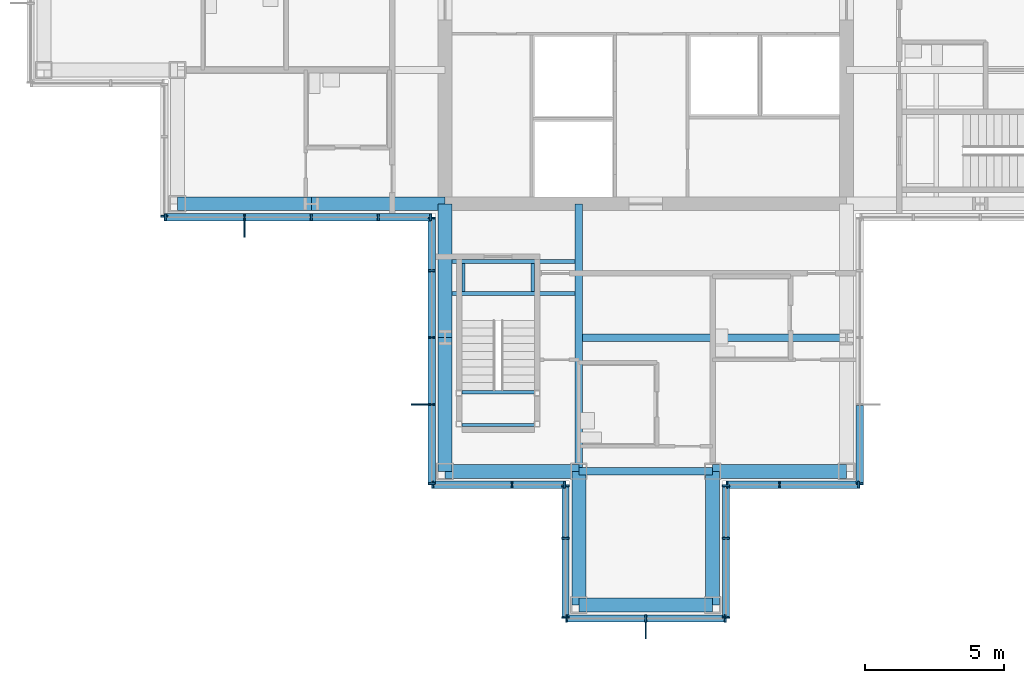
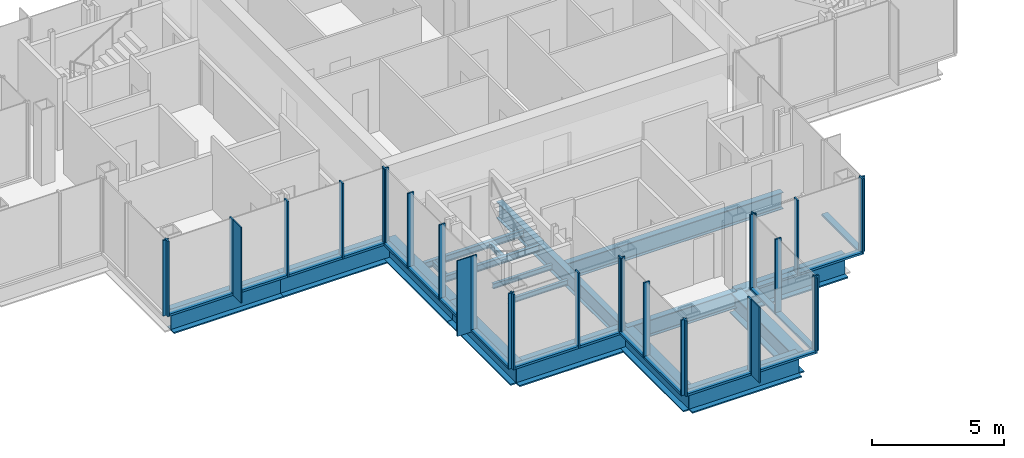
# One storey, part 5 of 15: 49 members, 18 beams, 9 elements without a shape of their own.
"""IFC4 building model written with IfcOpenShell, lengths in metres."""

from ifc_helpers import new_model, si_unit, direction, frame, origin, origin_2d, place, context, subcontext, project, spatial, rectangle, i_section, extrude, material, material_profile, profile_set, type_object, element, aggregate, save


model = new_model("IFC4")

# Units and contexts
model_context = context("Model", 3, precision=1e-05, world=origin(), true_north=direction((0.0, 1.0)))
body_context = subcontext(model_context, "Body", "Model", "MODEL_VIEW")
ifc_project = project(units=[si_unit("LENGTHUNIT", "METRE"), si_unit("AREAUNIT", "SQUARE_METRE"), si_unit("VOLUMEUNIT", "CUBIC_METRE"), si_unit("PLANEANGLEUNIT", "RADIAN"), si_unit("MASSUNIT", "GRAM", prefix="KILO")], contexts=[model_context])

# Site, building, storey
site_placement = place(None, origin())
site = spatial("IfcSite", under=ifc_project, at=site_placement, CompositionType="ELEMENT")
building_placement = place(site_placement, origin())
building = spatial("IfcBuilding", under=site, at=building_placement, Name="Kvirike Care Tower", CompositionType="ELEMENT")
storey_placement = place(building_placement, frame((0.0, 0.0, 229.5)))
storey = spatial("IfcBuildingStorey", under=building, at=storey_placement, Name="L63", CompositionType="ELEMENT", Elevation=229.5)

# Curtain wall, member
ifc_material_1 = material(Name="Anodised aluminium stick system", Category="aluminium")
curtain_wall_type = type_object("IfcCurtainWallType", Name="CW-D STICK CURTAIN WALL", PredefinedType="NOTDEFINED", material=ifc_material_1)
curtain_wall_1_placement = place(storey_placement, origin())
curtain_wall_1 = element("IfcCurtainWall", 1, at=curtain_wall_1_placement, inside=storey, type_object=curtain_wall_type, Name="Curtain wall L63 face 13", PredefinedType="NOTDEFINED")
ifc_material_2 = material(Name="Bronze anodised aluminium fin", Category="aluminium")
ifc_material_profile_1 = material_profile(ifc_material_2, rectangle(XDim=0.050048828125, YDim=0.60009765625, at=origin_2d()), Name="BRONZE FIN 600")
ifc_profile_set_1 = profile_set([ifc_material_profile_1], Name="Bronze anodised aluminium fin")
member_type_1 = type_object("IfcMemberType", Name="BRONZE FIN 600", PredefinedType="USERDEFINED", material=ifc_profile_set_1)
member_1_placement = place(storey_placement, frame((7.199951171875, 27.889892578125, 0.0), z_axis=(0.0, 0.0, 1.0), x_axis=(1.0, 0.0, 0.0)))
member_1 = element("IfcMember", 2, at=member_1_placement, type_object=member_type_1, Name="Bronze fin L63 face 13.2", ObjectType="FIN", PredefinedType="USERDEFINED", context=body_context, shape_type="SweptSolid", body=[
    extrude(rectangle(XDim=0.050048828125, YDim=0.60009765625, at=origin_2d()), origin(), (0.0, 0.0, 1.0), 3.5),
])

curtain_wall_2_placement = place(storey_placement, origin())
curtain_wall_2 = element("IfcCurtainWall", 3, at=curtain_wall_2_placement, inside=storey, type_object=curtain_wall_type, Name="Curtain wall L63 face 14", PredefinedType="NOTDEFINED")
member_2_placement = place(storey_placement, frame((13.489990234375, 21.60009765625, 0.0), z_axis=(0.0, 0.0, 1.0), x_axis=(0.0, -1.0, 0.0)))
member_2 = element("IfcMember", 4, at=member_2_placement, type_object=member_type_1, Name="Bronze fin L63 face 14.4", ObjectType="FIN", PredefinedType="USERDEFINED", context=body_context, shape_type="SweptSolid", body=[
    extrude(rectangle(XDim=0.050048828125, YDim=0.60009765625, at=origin_2d()), origin(), (0.0, 0.0, 1.0), 3.5),
])

curtain_wall_3_placement = place(storey_placement, origin())
curtain_wall_3 = element("IfcCurtainWall", 5, at=curtain_wall_3_placement, inside=storey, type_object=curtain_wall_type, Name="Curtain wall L63 face 17", PredefinedType="NOTDEFINED")
member_3_placement = place(storey_placement, frame((21.60009765625, 13.489990234375, 0.0), z_axis=(0.0, 0.0, 1.0), x_axis=(1.0, 0.0, 0.0)))
member_3 = element("IfcMember", 6, at=member_3_placement, type_object=member_type_1, Name="Bronze fin L63 face 17.2", ObjectType="FIN", PredefinedType="USERDEFINED", context=body_context, shape_type="SweptSolid", body=[
    extrude(rectangle(XDim=0.050048828125, YDim=0.60009765625, at=origin_2d()), origin(), (0.0, 0.0, 1.0), 3.5),
])

curtain_wall_4_placement = place(storey_placement, origin())
curtain_wall_4 = element("IfcCurtainWall", 7, at=curtain_wall_4_placement, inside=storey, type_object=curtain_wall_type, Name="Curtain wall L63 face 12", PredefinedType="NOTDEFINED")
ifc_material_3 = material(Name="Bronze anodised aluminium mullion", Category="aluminium")
ifc_material_profile_2 = material_profile(ifc_material_3, rectangle(XDim=0.06494140625, YDim=0.260009765625, at=origin_2d()), Name="CW-D MULLION 65x260")
ifc_profile_set_2 = profile_set([ifc_material_profile_2], Name="Bronze anodised aluminium mullion")
member_type_2 = type_object("IfcMemberType", Name="CW-D MULLION 65x260", PredefinedType="MULLION", material=ifc_profile_set_2)
member_4_placement = place(storey_placement, frame((4.320068359375, 28.3525390625, 0.0), z_axis=(0.0, 0.0, 1.0), x_axis=(0.0, -1.0, 0.0)))
member_4 = element("IfcMember", 8, at=member_4_placement, type_object=member_type_2, Name="CW-D mullion L63 face 12.3", PredefinedType="MULLION", context=body_context, shape_type="SweptSolid", body=[
    extrude(rectangle(XDim=0.06494140625, YDim=0.260009765625, at=origin_2d()), origin(), (0.0, 0.0, 1.0), 3.5),
])
aggregate(curtain_wall_4, [member_4])

# Member
member_5_placement = place(storey_placement, frame((4.3525390625, 28.320068359375, 0.0), z_axis=(0.0, 0.0, 1.0), x_axis=(1.0, 0.0, 0.0)))
member_5 = element("IfcMember", 9, at=member_5_placement, type_object=member_type_2, Name="CW-D mullion L63 face 13.1", PredefinedType="MULLION", context=body_context, shape_type="SweptSolid", body=[
    extrude(rectangle(XDim=0.06494140625, YDim=0.260009765625, at=origin_2d()), origin(), (0.0, 0.0, 1.0), 3.5),
])

member_6_placement = place(storey_placement, frame((7.199951171875, 28.320068359375, 0.0), z_axis=(0.0, 0.0, 1.0), x_axis=(1.0, 0.0, 0.0)))
member_6 = element("IfcMember", 10, at=member_6_placement, type_object=member_type_2, Name="CW-D mullion L63 face 13.2", PredefinedType="MULLION", context=body_context, shape_type="SweptSolid", body=[
    extrude(rectangle(XDim=0.06494140625, YDim=0.260009765625, at=origin_2d()), origin(), (0.0, 0.0, 1.0), 3.5),
])

member_7_placement = place(storey_placement, frame((9.60009765625, 28.320068359375, 0.0), z_axis=(0.0, 0.0, 1.0), x_axis=(1.0, 0.0, 0.0)))
member_7 = element("IfcMember", 11, at=member_7_placement, type_object=member_type_2, Name="CW-D mullion L63 face 13.3", PredefinedType="MULLION", context=body_context, shape_type="SweptSolid", body=[
    extrude(rectangle(XDim=0.06494140625, YDim=0.260009765625, at=origin_2d()), origin(), (0.0, 0.0, 1.0), 3.5),
])

member_8_placement = place(storey_placement, frame((12.0, 28.320068359375, 0.0), z_axis=(0.0, 0.0, 1.0), x_axis=(1.0, 0.0, 0.0)))
member_8 = element("IfcMember", 12, at=member_8_placement, type_object=member_type_2, Name="CW-D mullion L63 face 13.4", PredefinedType="MULLION", context=body_context, shape_type="SweptSolid", body=[
    extrude(rectangle(XDim=0.06494140625, YDim=0.260009765625, at=origin_2d()), origin(), (0.0, 0.0, 1.0), 3.5),
])

member_9_placement = place(storey_placement, frame((13.887451171875, 28.320068359375, 0.0), z_axis=(0.0, 0.0, 1.0), x_axis=(1.0, 0.0, 0.0)))
member_9 = element("IfcMember", 13, at=member_9_placement, type_object=member_type_2, Name="CW-D mullion L63 face 13.5", PredefinedType="MULLION", context=body_context, shape_type="SweptSolid", body=[
    extrude(rectangle(XDim=0.06494140625, YDim=0.260009765625, at=origin_2d()), origin(), (0.0, 0.0, 1.0), 3.5),
])

member_10_placement = place(storey_placement, frame((13.919921875, 28.28759765625, 0.0), z_axis=(0.0, 0.0, 1.0), x_axis=(0.0, -1.0, 0.0)))
member_10 = element("IfcMember", 14, at=member_10_placement, type_object=member_type_2, Name="CW-D mullion L63 face 14.1", PredefinedType="MULLION", context=body_context, shape_type="SweptSolid", body=[
    extrude(rectangle(XDim=0.06494140625, YDim=0.260009765625, at=origin_2d()), origin(), (0.0, 0.0, 1.0), 3.5),
])

member_11_placement = place(storey_placement, frame((13.919921875, 26.39990234375, 0.0), z_axis=(0.0, 0.0, 1.0), x_axis=(0.0, -1.0, 0.0)))
member_11 = element("IfcMember", 15, at=member_11_placement, type_object=member_type_2, Name="CW-D mullion L63 face 14.2", PredefinedType="MULLION", context=body_context, shape_type="SweptSolid", body=[
    extrude(rectangle(XDim=0.06494140625, YDim=0.260009765625, at=origin_2d()), origin(), (0.0, 0.0, 1.0), 3.5),
])

member_12_placement = place(storey_placement, frame((13.919921875, 24.0, 0.0), z_axis=(0.0, 0.0, 1.0), x_axis=(0.0, -1.0, 0.0)))
member_12 = element("IfcMember", 16, at=member_12_placement, type_object=member_type_2, Name="CW-D mullion L63 face 14.3", PredefinedType="MULLION", context=body_context, shape_type="SweptSolid", body=[
    extrude(rectangle(XDim=0.06494140625, YDim=0.260009765625, at=origin_2d()), origin(), (0.0, 0.0, 1.0), 3.5),
])

member_13_placement = place(storey_placement, frame((13.919921875, 21.60009765625, 0.0), z_axis=(0.0, 0.0, 1.0), x_axis=(0.0, -1.0, 0.0)))
member_13 = element("IfcMember", 17, at=member_13_placement, type_object=member_type_2, Name="CW-D mullion L63 face 14.4", PredefinedType="MULLION", context=body_context, shape_type="SweptSolid", body=[
    extrude(rectangle(XDim=0.06494140625, YDim=0.260009765625, at=origin_2d()), origin(), (0.0, 0.0, 1.0), 3.5),
])

member_14_placement = place(storey_placement, frame((13.919921875, 18.75244140625, 0.0), z_axis=(0.0, 0.0, 1.0), x_axis=(0.0, -1.0, 0.0)))
member_14 = element("IfcMember", 18, at=member_14_placement, type_object=member_type_2, Name="CW-D mullion L63 face 14.5", PredefinedType="MULLION", context=body_context, shape_type="SweptSolid", body=[
    extrude(rectangle(XDim=0.06494140625, YDim=0.260009765625, at=origin_2d()), origin(), (0.0, 0.0, 1.0), 3.5),
])

# Curtain wall, members
curtain_wall_5_placement = place(storey_placement, origin())
curtain_wall_5 = element("IfcCurtainWall", 19, at=curtain_wall_5_placement, inside=storey, type_object=curtain_wall_type, Name="Curtain wall L63 face 15", PredefinedType="NOTDEFINED")
member_15_placement = place(storey_placement, frame((13.952392578125, 18.719970703125, 0.0), z_axis=(0.0, 0.0, 1.0), x_axis=(1.0, 0.0, 0.0)))
member_15 = element("IfcMember", 20, at=member_15_placement, type_object=member_type_2, Name="CW-D mullion L63 face 15.1", PredefinedType="MULLION", context=body_context, shape_type="SweptSolid", body=[
    extrude(rectangle(XDim=0.06494140625, YDim=0.260009765625, at=origin_2d()), origin(), (0.0, 0.0, 1.0), 3.5),
])
member_16_placement = place(storey_placement, frame((16.800048828125, 18.719970703125, 0.0), z_axis=(0.0, 0.0, 1.0), x_axis=(1.0, 0.0, 0.0)))
member_16 = element("IfcMember", 21, at=member_16_placement, type_object=member_type_2, Name="CW-D mullion L63 face 15.2", PredefinedType="MULLION", context=body_context, shape_type="SweptSolid", body=[
    extrude(rectangle(XDim=0.06494140625, YDim=0.260009765625, at=origin_2d()), origin(), (0.0, 0.0, 1.0), 3.5),
])
member_17_placement = place(storey_placement, frame((18.6875, 18.719970703125, 0.0), z_axis=(0.0, 0.0, 1.0), x_axis=(1.0, 0.0, 0.0)))
member_17 = element("IfcMember", 22, at=member_17_placement, type_object=member_type_2, Name="CW-D mullion L63 face 15.3", PredefinedType="MULLION", context=body_context, shape_type="SweptSolid", body=[
    extrude(rectangle(XDim=0.06494140625, YDim=0.260009765625, at=origin_2d()), origin(), (0.0, 0.0, 1.0), 3.5),
])

curtain_wall_6_placement = place(storey_placement, origin())
curtain_wall_6 = element("IfcCurtainWall", 23, at=curtain_wall_6_placement, inside=storey, type_object=curtain_wall_type, Name="Curtain wall L63 face 16", PredefinedType="NOTDEFINED")
member_18_placement = place(storey_placement, frame((18.719970703125, 18.6875, 0.0), z_axis=(0.0, 0.0, 1.0), x_axis=(0.0, -1.0, 0.0)))
member_18 = element("IfcMember", 24, at=member_18_placement, type_object=member_type_2, Name="CW-D mullion L63 face 16.1", PredefinedType="MULLION", context=body_context, shape_type="SweptSolid", body=[
    extrude(rectangle(XDim=0.06494140625, YDim=0.260009765625, at=origin_2d()), origin(), (0.0, 0.0, 1.0), 3.5),
])
member_19_placement = place(storey_placement, frame((18.719970703125, 16.800048828125, 0.0), z_axis=(0.0, 0.0, 1.0), x_axis=(0.0, -1.0, 0.0)))
member_19 = element("IfcMember", 25, at=member_19_placement, type_object=member_type_2, Name="CW-D mullion L63 face 16.2", PredefinedType="MULLION", context=body_context, shape_type="SweptSolid", body=[
    extrude(rectangle(XDim=0.06494140625, YDim=0.260009765625, at=origin_2d()), origin(), (0.0, 0.0, 1.0), 3.5),
])
member_20_placement = place(storey_placement, frame((18.719970703125, 13.952392578125, 0.0), z_axis=(0.0, 0.0, 1.0), x_axis=(0.0, -1.0, 0.0)))
member_20 = element("IfcMember", 26, at=member_20_placement, type_object=member_type_2, Name="CW-D mullion L63 face 16.3", PredefinedType="MULLION", context=body_context, shape_type="SweptSolid", body=[
    extrude(rectangle(XDim=0.06494140625, YDim=0.260009765625, at=origin_2d()), origin(), (0.0, 0.0, 1.0), 3.5),
])

# Member
member_21_placement = place(storey_placement, frame((18.75244140625, 13.919921875, 0.0), z_axis=(0.0, 0.0, 1.0), x_axis=(1.0, 0.0, 0.0)))
member_21 = element("IfcMember", 27, at=member_21_placement, type_object=member_type_2, Name="CW-D mullion L63 face 17.1", PredefinedType="MULLION", context=body_context, shape_type="SweptSolid", body=[
    extrude(rectangle(XDim=0.06494140625, YDim=0.260009765625, at=origin_2d()), origin(), (0.0, 0.0, 1.0), 3.5),
])

member_22_placement = place(storey_placement, frame((21.60009765625, 13.919921875, 0.0), z_axis=(0.0, 0.0, 1.0), x_axis=(1.0, 0.0, 0.0)))
member_22 = element("IfcMember", 28, at=member_22_placement, type_object=member_type_2, Name="CW-D mullion L63 face 17.2", PredefinedType="MULLION", context=body_context, shape_type="SweptSolid", body=[
    extrude(rectangle(XDim=0.06494140625, YDim=0.260009765625, at=origin_2d()), origin(), (0.0, 0.0, 1.0), 3.5),
])

member_23_placement = place(storey_placement, frame((24.447509765625, 13.919921875, 0.0), z_axis=(0.0, 0.0, 1.0), x_axis=(1.0, 0.0, 0.0)))
member_23 = element("IfcMember", 29, at=member_23_placement, type_object=member_type_2, Name="CW-D mullion L63 face 17.3", PredefinedType="MULLION", context=body_context, shape_type="SweptSolid", body=[
    extrude(rectangle(XDim=0.06494140625, YDim=0.260009765625, at=origin_2d()), origin(), (0.0, 0.0, 1.0), 3.5),
])

# Curtain wall, members
curtain_wall_7_placement = place(storey_placement, origin())
curtain_wall_7 = element("IfcCurtainWall", 30, at=curtain_wall_7_placement, inside=storey, type_object=curtain_wall_type, Name="Curtain wall L63 face 18", PredefinedType="NOTDEFINED")
member_24_placement = place(storey_placement, frame((24.47998046875, 13.952392578125, 0.0), z_axis=(0.0, 0.0, 1.0), x_axis=(0.0, 1.0, 0.0)))
member_24 = element("IfcMember", 31, at=member_24_placement, type_object=member_type_2, Name="CW-D mullion L63 face 18.1", PredefinedType="MULLION", context=body_context, shape_type="SweptSolid", body=[
    extrude(rectangle(XDim=0.06494140625, YDim=0.260009765625, at=origin_2d()), origin(), (0.0, 0.0, 1.0), 3.5),
])
member_25_placement = place(storey_placement, frame((24.47998046875, 16.800048828125, 0.0), z_axis=(0.0, 0.0, 1.0), x_axis=(0.0, 1.0, 0.0)))
member_25 = element("IfcMember", 32, at=member_25_placement, type_object=member_type_2, Name="CW-D mullion L63 face 18.2", PredefinedType="MULLION", context=body_context, shape_type="SweptSolid", body=[
    extrude(rectangle(XDim=0.06494140625, YDim=0.260009765625, at=origin_2d()), origin(), (0.0, 0.0, 1.0), 3.5),
])
member_26_placement = place(storey_placement, frame((24.47998046875, 18.6875, 0.0), z_axis=(0.0, 0.0, 1.0), x_axis=(0.0, 1.0, 0.0)))
member_26 = element("IfcMember", 33, at=member_26_placement, type_object=member_type_2, Name="CW-D mullion L63 face 18.3", PredefinedType="MULLION", context=body_context, shape_type="SweptSolid", body=[
    extrude(rectangle(XDim=0.06494140625, YDim=0.260009765625, at=origin_2d()), origin(), (0.0, 0.0, 1.0), 3.5),
])

curtain_wall_8_placement = place(storey_placement, origin())
curtain_wall_8 = element("IfcCurtainWall", 34, at=curtain_wall_8_placement, inside=storey, type_object=curtain_wall_type, Name="Curtain wall L63 face 19", PredefinedType="NOTDEFINED")
member_27_placement = place(storey_placement, frame((24.512451171875, 18.719970703125, 0.0), z_axis=(0.0, 0.0, 1.0), x_axis=(1.0, 0.0, 0.0)))
member_27 = element("IfcMember", 35, at=member_27_placement, type_object=member_type_2, Name="CW-D mullion L63 face 19.1", PredefinedType="MULLION", context=body_context, shape_type="SweptSolid", body=[
    extrude(rectangle(XDim=0.06494140625, YDim=0.260009765625, at=origin_2d()), origin(), (0.0, 0.0, 1.0), 3.5),
])
member_28_placement = place(storey_placement, frame((26.39990234375, 18.719970703125, 0.0), z_axis=(0.0, 0.0, 1.0), x_axis=(1.0, 0.0, 0.0)))
member_28 = element("IfcMember", 36, at=member_28_placement, type_object=member_type_2, Name="CW-D mullion L63 face 19.2", PredefinedType="MULLION", context=body_context, shape_type="SweptSolid", body=[
    extrude(rectangle(XDim=0.06494140625, YDim=0.260009765625, at=origin_2d()), origin(), (0.0, 0.0, 1.0), 3.5),
])
member_29_placement = place(storey_placement, frame((29.24755859375, 18.719970703125, 0.0), z_axis=(0.0, 0.0, 1.0), x_axis=(1.0, 0.0, 0.0)))
member_29 = element("IfcMember", 37, at=member_29_placement, type_object=member_type_2, Name="CW-D mullion L63 face 19.3", PredefinedType="MULLION", context=body_context, shape_type="SweptSolid", body=[
    extrude(rectangle(XDim=0.06494140625, YDim=0.260009765625, at=origin_2d()), origin(), (0.0, 0.0, 1.0), 3.5),
])

# Curtain wall, member
curtain_wall_9_placement = place(storey_placement, origin())
curtain_wall_9 = element("IfcCurtainWall", 38, at=curtain_wall_9_placement, inside=storey, type_object=curtain_wall_type, Name="Curtain wall L63 face 20", PredefinedType="NOTDEFINED")
member_30_placement = place(storey_placement, frame((29.280029296875, 18.75244140625, 0.0), z_axis=(0.0, 0.0, 1.0), x_axis=(0.0, 1.0, 0.0)))
member_30 = element("IfcMember", 39, at=member_30_placement, type_object=member_type_2, Name="CW-D mullion L63 face 20.1", PredefinedType="MULLION", context=body_context, shape_type="SweptSolid", body=[
    extrude(rectangle(XDim=0.06494140625, YDim=0.260009765625, at=origin_2d()), origin(), (0.0, 0.0, 1.0), 3.5),
])

# Member
ifc_material_4 = material(Name="Bronze anodised aluminium transom", Category="aluminium")
ifc_material_profile_3 = material_profile(ifc_material_4, rectangle(XDim=0.260009765625, YDim=0.10009765625, at=origin_2d()), Name="CW-D TRANSOM 260x100")
ifc_profile_set_3 = profile_set([ifc_material_profile_3], Name="Bronze anodised aluminium transom")
member_type_3 = type_object("IfcMemberType", Name="CW-D TRANSOM 260x100", PredefinedType="USERDEFINED", material=ifc_profile_set_3)
member_31_placement = place(storey_placement, frame((4.385009765625, 28.320068359375, 0.050048828125), z_axis=(1.0, 0.0, 0.0), x_axis=(0.0, 1.0, 0.0)))
member_31 = element("IfcMember", 40, at=member_31_placement, type_object=member_type_3, Name="CW-D sill transom L63 face 13.1", ObjectType="TRANSOM", PredefinedType="USERDEFINED", context=body_context, shape_type="SweptSolid", body=[
    extrude(rectangle(XDim=0.260009765625, YDim=0.10009765625, at=origin_2d()), origin(), (0.0, 0.0, 1.0), 2.782470703125),
])

member_32_placement = place(storey_placement, frame((7.232421875, 28.320068359375, 0.050048828125), z_axis=(1.0, 0.0, 0.0), x_axis=(0.0, 1.0, 0.0)))
member_32 = element("IfcMember", 41, at=member_32_placement, type_object=member_type_3, Name="CW-D sill transom L63 face 13.2", ObjectType="TRANSOM", PredefinedType="USERDEFINED", context=body_context, shape_type="SweptSolid", body=[
    extrude(rectangle(XDim=0.260009765625, YDim=0.10009765625, at=origin_2d()), origin(), (0.0, 0.0, 1.0), 2.3349609375),
])

member_33_placement = place(storey_placement, frame((9.632568359375, 28.320068359375, 0.050048828125), z_axis=(1.0, 0.0, 0.0), x_axis=(0.0, 1.0, 0.0)))
member_33 = element("IfcMember", 42, at=member_33_placement, type_object=member_type_3, Name="CW-D sill transom L63 face 13.3", ObjectType="TRANSOM", PredefinedType="USERDEFINED", context=body_context, shape_type="SweptSolid", body=[
    extrude(rectangle(XDim=0.260009765625, YDim=0.10009765625, at=origin_2d()), origin(), (0.0, 0.0, 1.0), 2.3349609375),
])

member_34_placement = place(storey_placement, frame((12.032470703125, 28.320068359375, 0.050048828125), z_axis=(1.0, 0.0, 0.0), x_axis=(0.0, 1.0, 0.0)))
member_34 = element("IfcMember", 43, at=member_34_placement, type_object=member_type_3, Name="CW-D sill transom L63 face 13.4", ObjectType="TRANSOM", PredefinedType="USERDEFINED", context=body_context, shape_type="SweptSolid", body=[
    extrude(rectangle(XDim=0.260009765625, YDim=0.10009765625, at=origin_2d()), origin(), (0.0, 0.0, 1.0), 1.822509765625),
])

aggregate(curtain_wall_1, [member_5, member_6, member_1, member_7, member_8, member_9, member_31, member_32, member_33, member_34])

member_35_placement = place(storey_placement, frame((13.919921875, 28.2548828125, 0.050048828125), z_axis=(0.0, -1.0, 0.0), x_axis=(1.0, 0.0, 0.0)))
member_35 = element("IfcMember", 44, at=member_35_placement, type_object=member_type_3, Name="CW-D sill transom L63 face 14.1", ObjectType="TRANSOM", PredefinedType="USERDEFINED", context=body_context, shape_type="SweptSolid", body=[
    extrude(rectangle(XDim=0.260009765625, YDim=0.10009765625, at=origin_2d()), origin(), (0.0, 0.0, 1.0), 1.822265625),
])

member_36_placement = place(storey_placement, frame((13.919921875, 26.367431640625, 0.050048828125), z_axis=(0.0, -1.0, 0.0), x_axis=(1.0, 0.0, 0.0)))
member_36 = element("IfcMember", 45, at=member_36_placement, type_object=member_type_3, Name="CW-D sill transom L63 face 14.2", ObjectType="TRANSOM", PredefinedType="USERDEFINED", context=body_context, shape_type="SweptSolid", body=[
    extrude(rectangle(XDim=0.260009765625, YDim=0.10009765625, at=origin_2d()), origin(), (0.0, 0.0, 1.0), 2.3349609375),
])

member_37_placement = place(storey_placement, frame((13.919921875, 23.967529296875, 0.050048828125), z_axis=(0.0, -1.0, 0.0), x_axis=(1.0, 0.0, 0.0)))
member_37 = element("IfcMember", 46, at=member_37_placement, type_object=member_type_3, Name="CW-D sill transom L63 face 14.3", ObjectType="TRANSOM", PredefinedType="USERDEFINED", context=body_context, shape_type="SweptSolid", body=[
    extrude(rectangle(XDim=0.260009765625, YDim=0.10009765625, at=origin_2d()), origin(), (0.0, 0.0, 1.0), 2.3349609375),
])

member_38_placement = place(storey_placement, frame((13.919921875, 21.5673828125, 0.050048828125), z_axis=(0.0, -1.0, 0.0), x_axis=(1.0, 0.0, 0.0)))
member_38 = element("IfcMember", 47, at=member_38_placement, type_object=member_type_3, Name="CW-D sill transom L63 face 14.4", ObjectType="TRANSOM", PredefinedType="USERDEFINED", context=body_context, shape_type="SweptSolid", body=[
    extrude(rectangle(XDim=0.260009765625, YDim=0.10009765625, at=origin_2d()), origin(), (0.0, 0.0, 1.0), 2.782470703125),
])

aggregate(curtain_wall_2, [member_10, member_11, member_12, member_13, member_2, member_14, member_35, member_36, member_37, member_38])

member_39_placement = place(storey_placement, frame((13.985107421875, 18.719970703125, 0.050048828125), z_axis=(1.0, 0.0, 0.0), x_axis=(0.0, 1.0, 0.0)))
member_39 = element("IfcMember", 48, at=member_39_placement, type_object=member_type_3, Name="CW-D sill transom L63 face 15.1", ObjectType="TRANSOM", PredefinedType="USERDEFINED", context=body_context, shape_type="SweptSolid", body=[
    extrude(rectangle(XDim=0.260009765625, YDim=0.10009765625, at=origin_2d()), origin(), (0.0, 0.0, 1.0), 2.782470703125),
])

member_40_placement = place(storey_placement, frame((16.83251953125, 18.719970703125, 0.050048828125), z_axis=(1.0, 0.0, 0.0), x_axis=(0.0, 1.0, 0.0)))
member_40 = element("IfcMember", 49, at=member_40_placement, type_object=member_type_3, Name="CW-D sill transom L63 face 15.2", ObjectType="TRANSOM", PredefinedType="USERDEFINED", context=body_context, shape_type="SweptSolid", body=[
    extrude(rectangle(XDim=0.260009765625, YDim=0.10009765625, at=origin_2d()), origin(), (0.0, 0.0, 1.0), 1.822509765625),
])

aggregate(curtain_wall_5, [member_15, member_16, member_17, member_39, member_40])

member_41_placement = place(storey_placement, frame((18.719970703125, 18.655029296875, 0.050048828125), z_axis=(0.0, -1.0, 0.0), x_axis=(1.0, 0.0, 0.0)))
member_41 = element("IfcMember", 50, at=member_41_placement, type_object=member_type_3, Name="CW-D sill transom L63 face 16.1", ObjectType="TRANSOM", PredefinedType="USERDEFINED", context=body_context, shape_type="SweptSolid", body=[
    extrude(rectangle(XDim=0.260009765625, YDim=0.10009765625, at=origin_2d()), origin(), (0.0, 0.0, 1.0), 1.822509765625),
])

member_42_placement = place(storey_placement, frame((18.719970703125, 16.767578125, 0.050048828125), z_axis=(0.0, -1.0, 0.0), x_axis=(1.0, 0.0, 0.0)))
member_42 = element("IfcMember", 51, at=member_42_placement, type_object=member_type_3, Name="CW-D sill transom L63 face 16.2", ObjectType="TRANSOM", PredefinedType="USERDEFINED", context=body_context, shape_type="SweptSolid", body=[
    extrude(rectangle(XDim=0.260009765625, YDim=0.10009765625, at=origin_2d()), origin(), (0.0, 0.0, 1.0), 2.782470703125),
])

aggregate(curtain_wall_6, [member_18, member_19, member_20, member_41, member_42])

member_43_placement = place(storey_placement, frame((18.784912109375, 13.919921875, 0.050048828125), z_axis=(1.0, 0.0, 0.0), x_axis=(0.0, 1.0, 0.0)))
member_43 = element("IfcMember", 52, at=member_43_placement, type_object=member_type_3, Name="CW-D sill transom L63 face 17.1", ObjectType="TRANSOM", PredefinedType="USERDEFINED", context=body_context, shape_type="SweptSolid", body=[
    extrude(rectangle(XDim=0.260009765625, YDim=0.10009765625, at=origin_2d()), origin(), (0.0, 0.0, 1.0), 2.782470703125),
])

member_44_placement = place(storey_placement, frame((21.632568359375, 13.919921875, 0.050048828125), z_axis=(1.0, 0.0, 0.0), x_axis=(0.0, 1.0, 0.0)))
member_44 = element("IfcMember", 53, at=member_44_placement, type_object=member_type_3, Name="CW-D sill transom L63 face 17.2", ObjectType="TRANSOM", PredefinedType="USERDEFINED", context=body_context, shape_type="SweptSolid", body=[
    extrude(rectangle(XDim=0.260009765625, YDim=0.10009765625, at=origin_2d()), origin(), (0.0, 0.0, 1.0), 2.782470703125),
])

aggregate(curtain_wall_3, [member_21, member_22, member_3, member_23, member_43, member_44])

member_45_placement = place(storey_placement, frame((24.47998046875, 13.985107421875, 0.050048828125), z_axis=(0.0, 1.0, 0.0), x_axis=(-1.0, 0.0, 0.0)))
member_45 = element("IfcMember", 54, at=member_45_placement, type_object=member_type_3, Name="CW-D sill transom L63 face 18.1", ObjectType="TRANSOM", PredefinedType="USERDEFINED", context=body_context, shape_type="SweptSolid", body=[
    extrude(rectangle(XDim=0.260009765625, YDim=0.10009765625, at=origin_2d()), origin(), (0.0, 0.0, 1.0), 2.782470703125),
])

member_46_placement = place(storey_placement, frame((24.47998046875, 16.83251953125, 0.050048828125), z_axis=(0.0, 1.0, 0.0), x_axis=(-1.0, 0.0, 0.0)))
member_46 = element("IfcMember", 55, at=member_46_placement, type_object=member_type_3, Name="CW-D sill transom L63 face 18.2", ObjectType="TRANSOM", PredefinedType="USERDEFINED", context=body_context, shape_type="SweptSolid", body=[
    extrude(rectangle(XDim=0.260009765625, YDim=0.10009765625, at=origin_2d()), origin(), (0.0, 0.0, 1.0), 1.822509765625),
])

aggregate(curtain_wall_7, [member_24, member_25, member_26, member_45, member_46])

member_47_placement = place(storey_placement, frame((24.544921875, 18.719970703125, 0.050048828125), z_axis=(1.0, 0.0, 0.0), x_axis=(0.0, 1.0, 0.0)))
member_47 = element("IfcMember", 56, at=member_47_placement, type_object=member_type_3, Name="CW-D sill transom L63 face 19.1", ObjectType="TRANSOM", PredefinedType="USERDEFINED", context=body_context, shape_type="SweptSolid", body=[
    extrude(rectangle(XDim=0.260009765625, YDim=0.10009765625, at=origin_2d()), origin(), (0.0, 0.0, 1.0), 1.822509765625),
])

member_48_placement = place(storey_placement, frame((26.4326171875, 18.719970703125, 0.050048828125), z_axis=(1.0, 0.0, 0.0), x_axis=(0.0, 1.0, 0.0)))
member_48 = element("IfcMember", 57, at=member_48_placement, type_object=member_type_3, Name="CW-D sill transom L63 face 19.2", ObjectType="TRANSOM", PredefinedType="USERDEFINED", context=body_context, shape_type="SweptSolid", body=[
    extrude(rectangle(XDim=0.260009765625, YDim=0.10009765625, at=origin_2d()), origin(), (0.0, 0.0, 1.0), 2.782470703125),
])

aggregate(curtain_wall_8, [member_27, member_28, member_29, member_47, member_48])

member_49_placement = place(storey_placement, frame((29.280029296875, 18.784912109375, 0.050048828125), z_axis=(0.0, 1.0, 0.0), x_axis=(-1.0, 0.0, 0.0)))
member_49 = element("IfcMember", 58, at=member_49_placement, type_object=member_type_3, Name="CW-D sill transom L63 face 20.1", ObjectType="TRANSOM", PredefinedType="USERDEFINED", context=body_context, shape_type="SweptSolid", body=[
    extrude(rectangle(XDim=0.260009765625, YDim=0.10009765625, at=origin_2d()), origin(), (0.0, 0.0, 1.0), 2.782470703125),
])

aggregate(curtain_wall_9, [member_30, member_49])

# Beams
ifc_material_5 = material(Name="Steel S355", Category="steel")
ifc_material_profile_4 = material_profile(ifc_material_5, i_section(OverallWidth=0.26806640625, OverallDepth=0.77001953125, WebThickness=0.015625, FlangeThickness=0.025390625, FilletRadius=0.01708984375, at=origin_2d()), Name="IPE 750x196")
ifc_profile_set_4 = profile_set([ifc_material_profile_4], Name="Steel S355")
beam_type_1 = type_object("IfcBeamType", Name="FLOOR BEAM IPE 750x196", PredefinedType="BEAM", material=ifc_profile_set_4)
beam_1_placement = place(storey_placement, frame((19.199951171875, 19.199951171875, -0.554931640625), z_axis=(1.0, 0.0, 0.0), x_axis=(0.0, 1.0, 0.0)))
element("IfcBeam", 59, at=beam_1_placement, inside=storey, type_object=beam_type_1, Name="Floor Beam E7-E8 L63", PredefinedType="BEAM", context=body_context, shape_type="SweptSolid", body=[
    extrude(i_section(OverallWidth=0.26806640625, OverallDepth=0.77001953125, WebThickness=0.015625, FlangeThickness=0.025390625, FilletRadius=0.01708984375, at=origin_2d()), origin(), (0.0, 0.0, 1.0), 4.800048828125),
])
for number, where, z_axis, x_axis, name in (
    (60, (19.199951171875, 24.0, -0.554931640625), (1.0, 0.0, 0.0), (0.0, 1.0, 0.0), "Floor Beam F7-F9 L63"),
    (61, (19.199951171875, 19.199951171875, -0.554931640625), (0.0, 1.0, 0.0), (-1.0, 0.0, 0.0), "Floor Beam E7-G7 L63"),
):
    element("IfcBeam", number, at=place(storey_placement, frame(where, z_axis=z_axis, x_axis=x_axis)), inside=storey, type_object=beam_type_1, Name=name, PredefinedType="BEAM", context=body_context, shape_type="SweptSolid", body=[
        extrude(i_section(OverallWidth=0.26806640625, OverallDepth=0.77001953125, WebThickness=0.015625, FlangeThickness=0.025390625, FilletRadius=0.01708984375, at=origin_2d()), origin(), (0.0, 0.0, 1.0), 9.60009765625),
    ])
ifc_material_6 = material(Name="Steel S355", Category="steel")
ifc_material_profile_5 = material_profile(ifc_material_6, i_section(OverallWidth=0.5, OverallDepth=1.0, WebThickness=0.030029296875, FlangeThickness=0.06005859375, at=origin_2d()), Name="PG 1000x500x30x60")
ifc_profile_set_5 = profile_set([ifc_material_profile_5], Name="Steel S355")
beam_type_2 = type_object("IfcBeamType", Name="SPANDREL PG 1000x500x30x60", PredefinedType="SPANDREL", material=ifc_profile_set_5)
for number, where, z_axis, x_axis, name in (
    (62, (19.199951171875, 14.39990234375, -0.669921875), (1.0, 0.0, 0.0), (0.0, 1.0, 0.0), "Spandrel D7-D8 L63"),
    (63, (14.39990234375, 19.199951171875, -0.669921875), (1.0, 0.0, 0.0), (0.0, 1.0, 0.0), "Spandrel E6-E7 L63"),
    (64, (24.0, 19.199951171875, -0.669921875), (1.0, 0.0, 0.0), (0.0, 1.0, 0.0), "Spandrel E8-E9 L63"),
    (65, (4.800048828125, 28.800048828125, -0.669921875), (1.0, 0.0, 0.0), (0.0, 1.0, 0.0), "Spandrel G4-G5 L63"),
):
    element("IfcBeam", number, at=place(storey_placement, frame(where, z_axis=z_axis, x_axis=x_axis)), inside=storey, type_object=beam_type_2, Name=name, PredefinedType="SPANDREL", context=body_context, shape_type="SweptSolid", body=[
        extrude(i_section(OverallWidth=0.5, OverallDepth=1.0, WebThickness=0.030029296875, FlangeThickness=0.06005859375, at=origin_2d()), origin(), (0.0, 0.0, 1.0), 4.800048828125),
    ])
beam_2_placement = place(storey_placement, frame((9.60009765625, 28.800048828125, -0.669921875), z_axis=(1.0, 0.0, 0.0), x_axis=(0.0, 1.0, 0.0)))
element("IfcBeam", 66, at=beam_2_placement, inside=storey, type_object=beam_type_2, Name="Spandrel G5-G6 L63", PredefinedType="SPANDREL", context=body_context, shape_type="SweptSolid", body=[
    extrude(i_section(OverallWidth=0.5, OverallDepth=1.0, WebThickness=0.030029296875, FlangeThickness=0.06005859375, at=origin_2d()), origin(), (0.0, 0.0, 1.0), 4.7998046875),
])
for number, where, z_axis, x_axis, name in (
    (67, (14.39990234375, 19.199951171875, -0.669921875), (0.0, 1.0, 0.0), (-1.0, 0.0, 0.0), "Spandrel E6-F6 L63"),
    (68, (14.39990234375, 24.0, -0.669921875), (0.0, 1.0, 0.0), (-1.0, 0.0, 0.0), "Spandrel F6-G6 L63"),
    (69, (19.199951171875, 14.39990234375, -0.669921875), (0.0, 1.0, 0.0), (-1.0, 0.0, 0.0), "Spandrel D7-E7 L63"),
    (70, (24.0, 14.39990234375, -0.669921875), (0.0, 1.0, 0.0), (-1.0, 0.0, 0.0), "Spandrel D8-E8 L63"),
):
    element("IfcBeam", number, at=place(storey_placement, frame(where, z_axis=z_axis, x_axis=x_axis)), inside=storey, type_object=beam_type_2, Name=name, PredefinedType="SPANDREL", context=body_context, shape_type="SweptSolid", body=[
        extrude(i_section(OverallWidth=0.5, OverallDepth=1.0, WebThickness=0.030029296875, FlangeThickness=0.06005859375, at=origin_2d()), origin(), (0.0, 0.0, 1.0), 4.800048828125),
    ])
ifc_material_7 = material(Name="Steel S355", Category="steel")
ifc_material_profile_6 = material_profile(ifc_material_7, i_section(OverallWidth=0.1201171875, OverallDepth=0.239990234375, WebThickness=0.006103515625, FlangeThickness=0.009765625, FilletRadius=0.014892578125, at=origin_2d()), Name="IPE 240")
ifc_profile_set_6 = profile_set([ifc_material_profile_6], Name="Steel S355")
beam_type_3 = type_object("IfcBeamType", Name="STAIR LANDING BEAM IPE 240", PredefinedType="BEAM", material=ifc_profile_set_6)
for number, where, z_axis, x_axis, name in (
    (71, (15.0, 20.860107421875, 1.429931640625), (1.0, 0.0, 0.0), (0.0, 1.0, 0.0), "Stair 5 landing beam back L63"),
    (72, (15.0, 22.0400390625, 1.429931640625), (1.0, 0.0, 0.0), (0.0, 1.0, 0.0), "Stair 5 landing beam front L63"),
):
    element("IfcBeam", number, at=place(storey_placement, frame(where, z_axis=z_axis, x_axis=x_axis)), inside=storey, type_object=beam_type_3, Name=name, PredefinedType="BEAM", context=body_context, shape_type="SweptSolid", body=[
        extrude(i_section(OverallWidth=0.1201171875, OverallDepth=0.239990234375, WebThickness=0.006103515625, FlangeThickness=0.009765625, FilletRadius=0.014892578125, at=origin_2d()), origin(), (0.0, 0.0, 1.0), 2.60009765625),
    ])
for number, where, z_axis, x_axis, name in (
    (73, (15.06005859375, 25.64990234375, -0.320068359375), (0.0, 1.0, 0.0), (-1.0, 0.0, 0.0), "Stair 5 landing edge beam 1 L63"),
    (74, (17.5400390625, 25.64990234375, -0.320068359375), (0.0, 1.0, 0.0), (-1.0, 0.0, 0.0), "Stair 5 landing edge beam 2 L63"),
):
    element("IfcBeam", number, at=place(storey_placement, frame(where, z_axis=z_axis, x_axis=x_axis)), inside=storey, type_object=beam_type_3, Name=name, PredefinedType="BEAM", context=body_context, shape_type="SweptSolid", body=[
        extrude(i_section(OverallWidth=0.1201171875, OverallDepth=0.239990234375, WebThickness=0.006103515625, FlangeThickness=0.009765625, FilletRadius=0.014892578125, at=origin_2d()), origin(), (0.0, 0.0, 1.0), 1.0),
    ])
ifc_material_8 = material(Name="Steel S355", Category="steel")
ifc_material_profile_7 = material_profile(ifc_material_8, i_section(OverallWidth=0.14990234375, OverallDepth=0.300048828125, WebThickness=0.007080078125, FlangeThickness=0.0107421875, FilletRadius=0.014892578125, at=origin_2d()), Name="IPE 300")
ifc_profile_set_7 = profile_set([ifc_material_profile_7], Name="Steel S355")
beam_type_4 = type_object("IfcBeamType", Name="STAIR TRIMMER IPE 300", PredefinedType="BEAM", material=ifc_profile_set_7)
for number, where, z_axis, x_axis, name in (
    (75, (14.64990234375, 25.574951171875, -0.35009765625), (1.0, 0.0, 0.0), (0.0, 1.0, 0.0), "Stair 5 trimmer 1 L63"),
    (76, (14.64990234375, 26.72509765625, -0.35009765625), (1.0, 0.0, 0.0), (0.0, 1.0, 0.0), "Stair 5 trimmer 2 L63"),
):
    element("IfcBeam", number, at=place(storey_placement, frame(where, z_axis=z_axis, x_axis=x_axis)), inside=storey, type_object=beam_type_4, Name=name, PredefinedType="BEAM", context=body_context, shape_type="SweptSolid", body=[
        extrude(i_section(OverallWidth=0.14990234375, OverallDepth=0.300048828125, WebThickness=0.007080078125, FlangeThickness=0.0107421875, FilletRadius=0.014892578125, at=origin_2d()), origin(), (0.0, 0.0, 1.0), 4.416015625),
    ])

save(model, "model.ifc")
